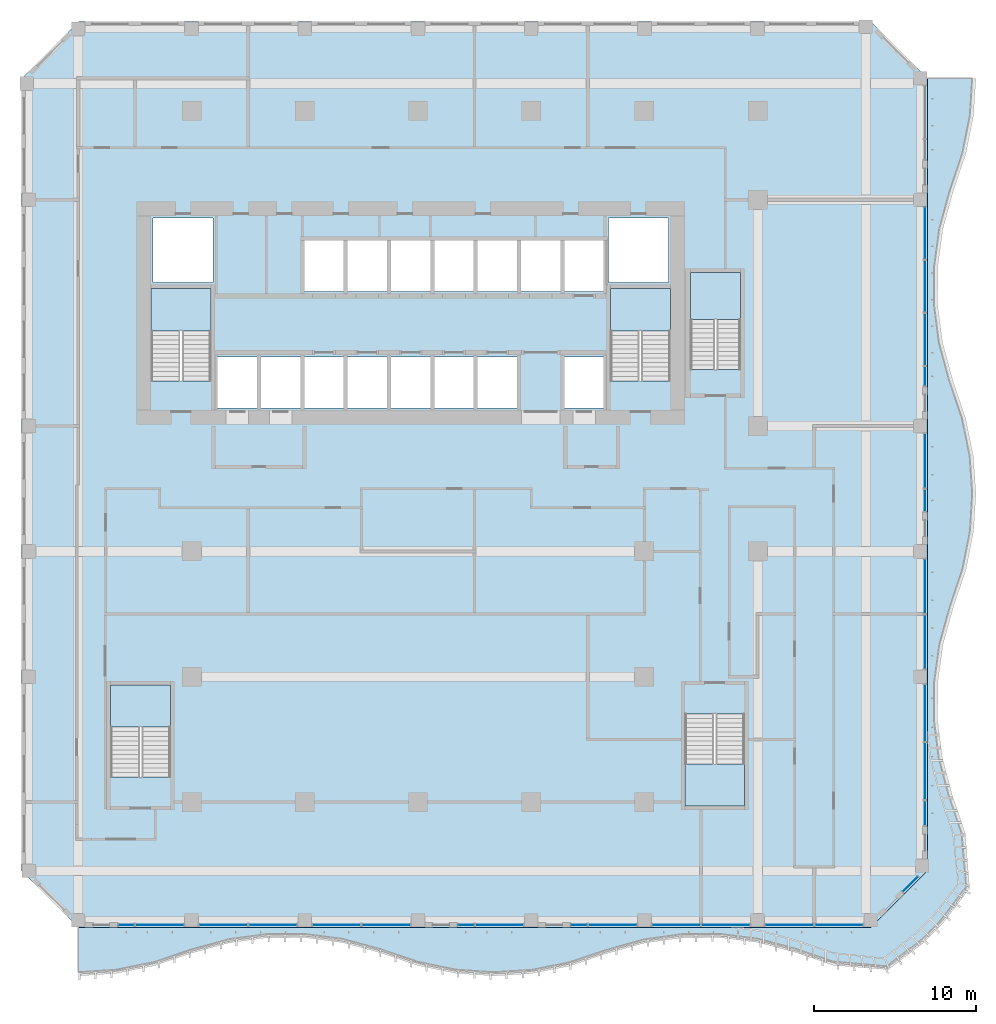
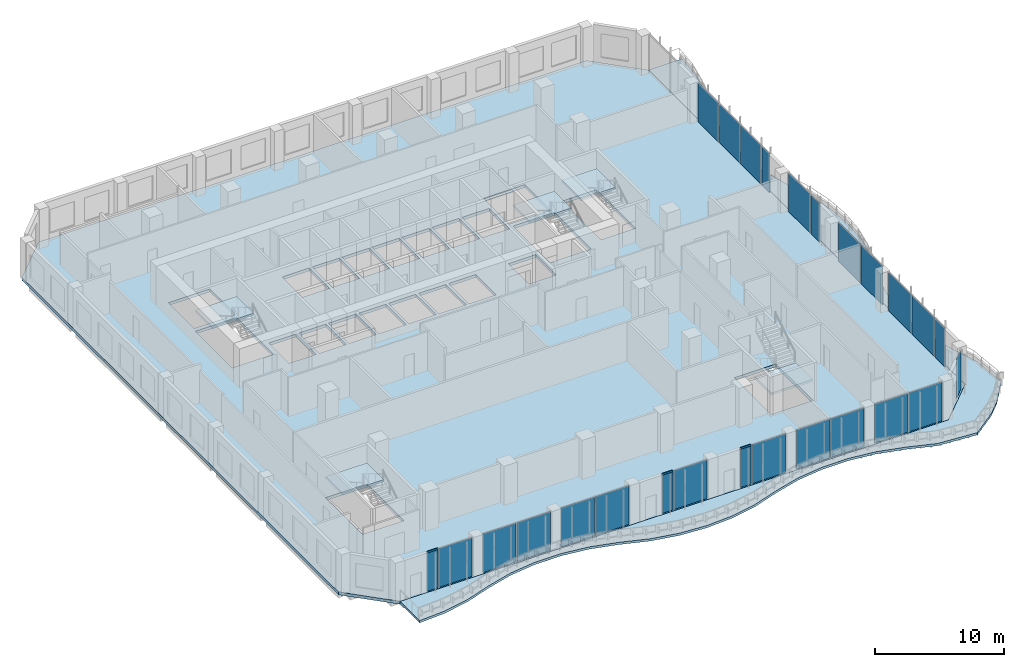
# One storey, part 11 of 27: 26 plates, 7 slabs, 3 members, 31 elements without a shape of their own.
"""IFC4 building model written with IfcOpenShell, lengths in metres."""

from ifc_helpers import new_model, si_unit, direction, frame, origin, origin_2d, place, context, subcontext, project, spatial, polyline, rectangle, outline, extrude, source, transform, mapped, material, layer, layer_set, material_profile, profile_set, type_object, element, aggregate, save


model = new_model("IFC4")

# Units and contexts
model_context = context("Model", 3, precision=1e-05, world=origin(), true_north=direction((0.0, 1.0)))
body_context = subcontext(model_context, "Body", "Model", "MODEL_VIEW")
ifc_project = project(units=[si_unit("LENGTHUNIT", "METRE"), si_unit("AREAUNIT", "SQUARE_METRE"), si_unit("VOLUMEUNIT", "CUBIC_METRE"), si_unit("PLANEANGLEUNIT", "RADIAN"), si_unit("MASSUNIT", "GRAM", prefix="KILO")], contexts=[model_context])

# Site, building, storey
site_placement = place(None, origin())
site = spatial("IfcSite", under=ifc_project, at=site_placement, CompositionType="ELEMENT")
building_placement = place(site_placement, origin())
building = spatial("IfcBuilding", under=site, at=building_placement, Name="Kilnfold Tower and Market Hall", CompositionType="ELEMENT")
storey_placement = place(building_placement, frame((0.0, 0.0, 112.60009765625)))
storey = spatial("IfcBuildingStorey", under=building, at=storey_placement, Name="L26", CompositionType="ELEMENT", Elevation=112.60009765625)

# Curtain wall, member
ifc_material_1 = material(Name="Aluminium and double glazing", Category="aluminium")
curtain_wall_type = type_object("IfcCurtainWallType", Name="CW OF2 VALLEY GLAZING", PredefinedType="NOTDEFINED", material=ifc_material_1)
curtain_wall_1_placement = place(storey_placement, origin())
curtain_wall_1 = element("IfcCurtainWall", 1, at=curtain_wall_1_placement, inside=storey, type_object=curtain_wall_type, Name="Curtain wall CW2 L26 S", PredefinedType="NOTDEFINED")
ifc_material_2 = material(Name="Aluminium", Category="aluminium")
ifc_material_profile = material_profile(ifc_material_2, rectangle(XDim=0.06005859375, YDim=0.159912109375, at=origin_2d()), Name="TRANSOM 60x160")
ifc_profile_set = profile_set([ifc_material_profile], Name="Aluminium")
member_type = type_object("IfcMemberType", Name="TRANSOM 60X160", PredefinedType="USERDEFINED", material=ifc_profile_set)
shared_shape_1 = source(origin(), body_context, "Body", "SweptSolid", [
    extrude(rectangle(XDim=0.06005859375, YDim=0.159912109375, at=origin_2d()), origin(), (0.0, 0.0, 1.0), 0.954833984375),
])
member_1_placement = place(storey_placement, frame((-17.014892578125, -22.85009765625, 3.68994140625), z_axis=(1.0, 0.0, 0.0), x_axis=(0.0, 1.0, 0.0)))
member_1 = element("IfcMember", 2, at=member_1_placement, type_object=member_type, Name="CW2 transom 1.2", ObjectType="TRANSOM", PredefinedType="USERDEFINED", context=body_context, shape_type="MappedRepresentation", body=[
    mapped(shared_shape_1, transform((0.0, 0.0, 0.0))),
])

curtain_wall_2_placement = place(storey_placement, origin())
curtain_wall_2 = element("IfcCurtainWall", 3, at=curtain_wall_2_placement, inside=storey, type_object=curtain_wall_type, Name="Curtain wall CW2 L26 S", PredefinedType="NOTDEFINED")
member_2_placement = place(storey_placement, frame((3.985107421875, -22.85009765625, 3.68994140625), z_axis=(1.0, 0.0, 0.0), x_axis=(0.0, 1.0, 0.0)))
member_2 = element("IfcMember", 4, at=member_2_placement, type_object=member_type, Name="CW2 transom 1.2", ObjectType="TRANSOM", PredefinedType="USERDEFINED", context=body_context, shape_type="MappedRepresentation", body=[
    mapped(shared_shape_1, transform((0.0, 0.0, 0.0))),
])

curtain_wall_3_placement = place(storey_placement, origin())
curtain_wall_3 = element("IfcCurtainWall", 5, at=curtain_wall_3_placement, inside=storey, type_object=curtain_wall_type, Name="Curtain wall CW2 L26 S", PredefinedType="NOTDEFINED")
member_3_placement = place(storey_placement, frame((10.985107421875, -22.85009765625, 3.68994140625), z_axis=(1.0, 0.0, 0.0), x_axis=(0.0, 1.0, 0.0)))
member_3 = element("IfcMember", 6, at=member_3_placement, type_object=member_type, Name="CW2 transom 1.2", ObjectType="TRANSOM", PredefinedType="USERDEFINED", context=body_context, shape_type="MappedRepresentation", body=[
    mapped(shared_shape_1, transform((0.0, 0.0, 0.0))),
])

# Slab
ifc_material_3 = material(Name="Concrete C45", Category="concrete")
ifc_layer_1 = layer(ifc_material_3, 0.280029296875)
ifc_layer_set_1 = layer_set([ifc_layer_1], Name="Concrete C45")
slab_type_1 = type_object("IfcSlabType", Name="FLOOR SLAB 280", PredefinedType="FLOOR", material=ifc_layer_set_1)
shared_shape_2 = source(origin(), body_context, "Body", "SweptSolid", [
    extrude(outline(polyline([(-19.5, -23.0), (29.5, -23.0), (33.0, -19.5), (33.0, 29.5), (29.5, 33.0), (-19.5, 33.0), (-23.0, 29.5), (-23.0, -19.5), (-19.5, -23.0)]), holes=[polyline([(-13.800537109375, -13.699462890625), (-17.49951171875, -13.699462890625), (-17.49951171875, -8.00048828125), (-13.800537109375, -8.00048828125), (-13.800537109375, -13.699462890625)]), polyline([(-14.99951171875, 10.800537109375), (-14.99951171875, 16.49951171875), (-11.300537109375, 16.49951171875), (-11.300537109375, 10.800537109375), (-14.99951171875, 10.800537109375)]), polyline([(-14.875, 16.875), (-14.875, 20.875), (-11.175048828125, 20.875), (-11.175048828125, 16.875), (-14.875, 16.875)]), polyline([(-8.455078125, 9.125), (-10.885009765625, 9.125), (-10.885009765625, 12.27490234375), (-8.455078125, 12.27490234375), (-8.455078125, 9.125)]), polyline([(-5.77490234375, 9.125), (-8.205078125, 9.125), (-8.205078125, 12.27490234375), (-5.77490234375, 12.27490234375), (-5.77490234375, 9.125)]), polyline([(-5.52490234375, 9.125), (-5.52490234375, 12.27490234375), (-3.094970703125, 12.27490234375), (-3.094970703125, 9.125), (-5.52490234375, 9.125)]), polyline([(-5.52490234375, 16.324951171875), (-5.52490234375, 19.47509765625), (-3.094970703125, 19.47509765625), (-3.094970703125, 16.324951171875), (-5.52490234375, 16.324951171875)]), polyline([(-2.844970703125, 9.125), (-2.844970703125, 12.27490234375), (-0.4150390625, 12.27490234375), (-0.4150390625, 9.125), (-2.844970703125, 9.125)]), polyline([(-0.4150390625, 16.324951171875), (-2.844970703125, 16.324951171875), (-2.844970703125, 19.47509765625), (-0.4150390625, 19.47509765625), (-0.4150390625, 16.324951171875)]), polyline([(2.264892578125, 9.125), (-0.1650390625, 9.125), (-0.1650390625, 12.27490234375), (2.264892578125, 12.27490234375), (2.264892578125, 9.125)]), polyline([(-0.1650390625, 16.324951171875), (-0.1650390625, 19.47509765625), (2.264892578125, 19.47509765625), (2.264892578125, 16.324951171875), (-0.1650390625, 16.324951171875)]), polyline([(4.945068359375, 9.125), (2.514892578125, 9.125), (2.514892578125, 12.27490234375), (4.945068359375, 12.27490234375), (4.945068359375, 9.125)]), polyline([(2.514892578125, 16.324951171875), (2.514892578125, 19.47509765625), (4.945068359375, 19.47509765625), (4.945068359375, 16.324951171875), (2.514892578125, 16.324951171875)]), polyline([(7.625, 9.125), (5.195068359375, 9.125), (5.195068359375, 12.27490234375), (7.625, 12.27490234375), (7.625, 9.125)]), polyline([(5.195068359375, 16.324951171875), (5.195068359375, 19.47509765625), (7.625, 19.47509765625), (7.625, 16.324951171875), (5.195068359375, 16.324951171875)]), polyline([(10.304931640625, 16.324951171875), (7.875, 16.324951171875), (7.875, 19.47509765625), (10.304931640625, 19.47509765625), (10.304931640625, 16.324951171875)]), polyline([(10.554931640625, 9.125), (10.554931640625, 12.27490234375), (12.985107421875, 12.27490234375), (12.985107421875, 9.125), (10.554931640625, 9.125)]), polyline([(10.554931640625, 16.324951171875), (10.554931640625, 19.47509765625), (12.985107421875, 19.47509765625), (12.985107421875, 16.324951171875), (10.554931640625, 16.324951171875)]), polyline([(13.27490234375, 16.875), (13.27490234375, 20.875), (16.97509765625, 20.875), (16.97509765625, 16.875), (13.27490234375, 16.875)]), polyline([(13.400390625, 10.800537109375), (13.400390625, 16.49951171875), (17.099609375, 16.49951171875), (17.099609375, 10.800537109375), (13.400390625, 10.800537109375)]), polyline([(18.00048828125, -9.800537109375), (21.699462890625, -9.800537109375), (21.699462890625, -15.49951171875), (18.00048828125, -15.49951171875), (18.00048828125, -9.800537109375)]), polyline([(21.449462890625, 11.50048828125), (18.3505859375, 11.50048828125), (18.3505859375, 17.49951171875), (21.449462890625, 17.49951171875), (21.449462890625, 11.50048828125)])]), origin(), (0.0, 0.0, 1.0), 0.280029296875),
])
slab_1_placement = place(storey_placement, frame((0.0, 0.0, -0.280029296875)))
element("IfcSlab", 7, at=slab_1_placement, inside=storey, type_object=slab_type_1, Name="Floor slab L26", PredefinedType="FLOOR", context=body_context, shape_type="MappedRepresentation", body=[
    mapped(shared_shape_2, transform((0.0, 0.0, 0.0))),
])

# Plate
ifc_material_4 = material(Name="Double glazed unit")
ifc_layer_2 = layer(ifc_material_4, 0.031982421875)
ifc_layer_set_2 = layer_set([ifc_layer_2], Name="Double glazed unit")
plate_type = type_object("IfcPlateType", Name="GLAZING PANEL 32", PredefinedType="CURTAIN_PANEL", material=ifc_layer_set_2)
shared_shape_3 = source(origin(), body_context, "Body", "SweptSolid", [
    extrude(rectangle(XDim=0.955078125, YDim=0.031982421875, at=origin_2d()), origin(), (0.0, 0.0, 1.0), 3.659912109375),
])
plate_1_placement = place(storey_placement, frame((-16.53759765625, -22.85009765625, 0.0), z_axis=(0.0, 0.0, 1.0), x_axis=(1.0, 0.0, 0.0)))
plate_1 = element("IfcPlate", 8, at=plate_1_placement, type_object=plate_type, Name="CW2 panel 1.1", PredefinedType="CURTAIN_PANEL", context=body_context, shape_type="MappedRepresentation", body=[
    mapped(shared_shape_3, transform((0.0, 0.0, 0.0))),
])

aggregate(curtain_wall_1, [member_1, plate_1])

plate_2_placement = place(storey_placement, frame((4.46240234375, -22.85009765625, 0.0), z_axis=(0.0, 0.0, 1.0), x_axis=(1.0, 0.0, 0.0)))
plate_2 = element("IfcPlate", 9, at=plate_2_placement, type_object=plate_type, Name="CW2 panel 1.1", PredefinedType="CURTAIN_PANEL", context=body_context, shape_type="MappedRepresentation", body=[
    mapped(shared_shape_3, transform((0.0, 0.0, 0.0))),
])

aggregate(curtain_wall_2, [member_2, plate_2])

plate_3_placement = place(storey_placement, frame((11.46240234375, -22.85009765625, 0.0), z_axis=(0.0, 0.0, 1.0), x_axis=(1.0, 0.0, 0.0)))
plate_3 = element("IfcPlate", 10, at=plate_3_placement, type_object=plate_type, Name="CW2 panel 1.1", PredefinedType="CURTAIN_PANEL", context=body_context, shape_type="MappedRepresentation", body=[
    mapped(shared_shape_3, transform((0.0, 0.0, 0.0))),
])

aggregate(curtain_wall_3, [member_3, plate_3])

# Curtain wall, plate
curtain_wall_4_placement = place(storey_placement, origin())
curtain_wall_4 = element("IfcCurtainWall", 11, at=curtain_wall_4_placement, inside=storey, type_object=curtain_wall_type, Name="Curtain wall CW2 L26 S", PredefinedType="NOTDEFINED")
shared_shape_4 = source(origin(), body_context, "Body", "SweptSolid", [
    extrude(rectangle(XDim=2.955078125, YDim=0.031982421875, at=origin_2d()), origin(), (0.0, 0.0, 1.0), 3.659912109375),
])
plate_4_placement = place(storey_placement, frame((-14.46240234375, -22.85009765625, 0.0), z_axis=(0.0, 0.0, 1.0), x_axis=(1.0, 0.0, 0.0)))
plate_4 = element("IfcPlate", 12, at=plate_4_placement, type_object=plate_type, Name="CW2 panel 1.1", PredefinedType="CURTAIN_PANEL", context=body_context, shape_type="MappedRepresentation", body=[
    mapped(shared_shape_4, transform((0.0, 0.0, 0.0))),
])
aggregate(curtain_wall_4, [plate_4])

curtain_wall_5_placement = place(storey_placement, origin())
curtain_wall_5 = element("IfcCurtainWall", 13, at=curtain_wall_5_placement, inside=storey, type_object=curtain_wall_type, Name="Curtain wall CW2 L26 S", PredefinedType="NOTDEFINED")
plate_5_placement = place(storey_placement, frame((-10.53759765625, -22.85009765625, 0.0), z_axis=(0.0, 0.0, 1.0), x_axis=(1.0, 0.0, 0.0)))
plate_5 = element("IfcPlate", 14, at=plate_5_placement, type_object=plate_type, Name="CW2 panel 1.1", PredefinedType="CURTAIN_PANEL", context=body_context, shape_type="MappedRepresentation", body=[
    mapped(shared_shape_4, transform((0.0, 0.0, 0.0))),
])
aggregate(curtain_wall_5, [plate_5])

curtain_wall_6_placement = place(storey_placement, origin())
curtain_wall_6 = element("IfcCurtainWall", 15, at=curtain_wall_6_placement, inside=storey, type_object=curtain_wall_type, Name="Curtain wall CW2 L26 S", PredefinedType="NOTDEFINED")
plate_6_placement = place(storey_placement, frame((-7.46240234375, -22.85009765625, 0.0), z_axis=(0.0, 0.0, 1.0), x_axis=(1.0, 0.0, 0.0)))
plate_6 = element("IfcPlate", 16, at=plate_6_placement, type_object=plate_type, Name="CW2 panel 1.1", PredefinedType="CURTAIN_PANEL", context=body_context, shape_type="MappedRepresentation", body=[
    mapped(shared_shape_4, transform((0.0, 0.0, 0.0))),
])
aggregate(curtain_wall_6, [plate_6])

curtain_wall_7_placement = place(storey_placement, origin())
curtain_wall_7 = element("IfcCurtainWall", 17, at=curtain_wall_7_placement, inside=storey, type_object=curtain_wall_type, Name="Curtain wall CW2 L26 S", PredefinedType="NOTDEFINED")
plate_7_placement = place(storey_placement, frame((-3.53759765625, -22.85009765625, 0.0), z_axis=(0.0, 0.0, 1.0), x_axis=(1.0, 0.0, 0.0)))
plate_7 = element("IfcPlate", 18, at=plate_7_placement, type_object=plate_type, Name="CW2 panel 1.1", PredefinedType="CURTAIN_PANEL", context=body_context, shape_type="MappedRepresentation", body=[
    mapped(shared_shape_4, transform((0.0, 0.0, 0.0))),
])
aggregate(curtain_wall_7, [plate_7])

curtain_wall_8_placement = place(storey_placement, origin())
curtain_wall_8 = element("IfcCurtainWall", 19, at=curtain_wall_8_placement, inside=storey, type_object=curtain_wall_type, Name="Curtain wall CW2 L26 S", PredefinedType="NOTDEFINED")
plate_8_placement = place(storey_placement, frame((-0.46240234375, -22.85009765625, 0.0), z_axis=(0.0, 0.0, 1.0), x_axis=(1.0, 0.0, 0.0)))
plate_8 = element("IfcPlate", 20, at=plate_8_placement, type_object=plate_type, Name="CW2 panel 1.1", PredefinedType="CURTAIN_PANEL", context=body_context, shape_type="MappedRepresentation", body=[
    mapped(shared_shape_4, transform((0.0, 0.0, 0.0))),
])
aggregate(curtain_wall_8, [plate_8])

curtain_wall_9_placement = place(storey_placement, origin())
curtain_wall_9 = element("IfcCurtainWall", 21, at=curtain_wall_9_placement, inside=storey, type_object=curtain_wall_type, Name="Curtain wall CW2 L26 S", PredefinedType="NOTDEFINED")
plate_9_placement = place(storey_placement, frame((6.53759765625, -22.85009765625, 0.0), z_axis=(0.0, 0.0, 1.0), x_axis=(1.0, 0.0, 0.0)))
plate_9 = element("IfcPlate", 22, at=plate_9_placement, type_object=plate_type, Name="CW2 panel 1.1", PredefinedType="CURTAIN_PANEL", context=body_context, shape_type="MappedRepresentation", body=[
    mapped(shared_shape_4, transform((0.0, 0.0, 0.0))),
])
aggregate(curtain_wall_9, [plate_9])

curtain_wall_10_placement = place(storey_placement, origin())
curtain_wall_10 = element("IfcCurtainWall", 23, at=curtain_wall_10_placement, inside=storey, type_object=curtain_wall_type, Name="Curtain wall CW2 L26 S", PredefinedType="NOTDEFINED")
plate_10_placement = place(storey_placement, frame((13.53759765625, -22.85009765625, 0.0), z_axis=(0.0, 0.0, 1.0), x_axis=(1.0, 0.0, 0.0)))
plate_10 = element("IfcPlate", 24, at=plate_10_placement, type_object=plate_type, Name="CW2 panel 1.1", PredefinedType="CURTAIN_PANEL", context=body_context, shape_type="MappedRepresentation", body=[
    mapped(shared_shape_4, transform((0.0, 0.0, 0.0))),
])
aggregate(curtain_wall_10, [plate_10])

curtain_wall_11_placement = place(storey_placement, origin())
curtain_wall_11 = element("IfcCurtainWall", 25, at=curtain_wall_11_placement, inside=storey, type_object=curtain_wall_type, Name="Curtain wall CW2 L26 S", PredefinedType="NOTDEFINED")
plate_11_placement = place(storey_placement, frame((17.46240234375, -22.85009765625, 0.0), z_axis=(0.0, 0.0, 1.0), x_axis=(1.0, 0.0, 0.0)))
plate_11 = element("IfcPlate", 26, at=plate_11_placement, type_object=plate_type, Name="CW2 panel 1.1", PredefinedType="CURTAIN_PANEL", context=body_context, shape_type="MappedRepresentation", body=[
    mapped(shared_shape_4, transform((0.0, 0.0, 0.0))),
])
aggregate(curtain_wall_11, [plate_11])

curtain_wall_12_placement = place(storey_placement, origin())
curtain_wall_12 = element("IfcCurtainWall", 27, at=curtain_wall_12_placement, inside=storey, type_object=curtain_wall_type, Name="Curtain wall CW2 L26 S", PredefinedType="NOTDEFINED")
plate_12_placement = place(storey_placement, frame((20.53759765625, -22.85009765625, 0.0), z_axis=(0.0, 0.0, 1.0), x_axis=(1.0, 0.0, 0.0)))
plate_12 = element("IfcPlate", 28, at=plate_12_placement, type_object=plate_type, Name="CW2 panel 1.1", PredefinedType="CURTAIN_PANEL", context=body_context, shape_type="MappedRepresentation", body=[
    mapped(shared_shape_4, transform((0.0, 0.0, 0.0))),
])
aggregate(curtain_wall_12, [plate_12])

curtain_wall_13_placement = place(storey_placement, origin())
curtain_wall_13 = element("IfcCurtainWall", 29, at=curtain_wall_13_placement, inside=storey, type_object=curtain_wall_type, Name="Curtain wall CW2 L26 S", PredefinedType="NOTDEFINED")
plate_13_placement = place(storey_placement, frame((24.46240234375, -22.85009765625, 0.0), z_axis=(0.0, 0.0, 1.0), x_axis=(1.0, 0.0, 0.0)))
plate_13 = element("IfcPlate", 30, at=plate_13_placement, type_object=plate_type, Name="CW2 panel 1.1", PredefinedType="CURTAIN_PANEL", context=body_context, shape_type="MappedRepresentation", body=[
    mapped(shared_shape_4, transform((0.0, 0.0, 0.0))),
])
aggregate(curtain_wall_13, [plate_13])

curtain_wall_14_placement = place(storey_placement, origin())
curtain_wall_14 = element("IfcCurtainWall", 31, at=curtain_wall_14_placement, inside=storey, type_object=curtain_wall_type, Name="Curtain wall CW2 L26 S", PredefinedType="NOTDEFINED")
plate_14_placement = place(storey_placement, frame((27.53759765625, -22.85009765625, 0.0), z_axis=(0.0, 0.0, 1.0), x_axis=(1.0, 0.0, 0.0)))
plate_14 = element("IfcPlate", 32, at=plate_14_placement, type_object=plate_type, Name="CW2 panel 1.1", PredefinedType="CURTAIN_PANEL", context=body_context, shape_type="MappedRepresentation", body=[
    mapped(shared_shape_4, transform((0.0, 0.0, 0.0))),
])
aggregate(curtain_wall_14, [plate_14])

curtain_wall_15_placement = place(storey_placement, origin())
curtain_wall_15 = element("IfcCurtainWall", 33, at=curtain_wall_15_placement, inside=storey, type_object=curtain_wall_type, Name="Curtain wall CW2 L26 SE", PredefinedType="NOTDEFINED")
shared_shape_5 = source(origin(), body_context, "Body", "SweptSolid", [
    extrude(rectangle(XDim=1.3095703125, YDim=0.031982421875, at=origin_2d()), origin(), (0.0, 0.0, 1.0), 3.659912109375),
])
plate_15_placement = place(storey_placement, frame((31.96337890625, -20.32421875, 0.0), z_axis=(0.0, 0.0, 1.0), x_axis=(0.707106781187, 0.707106781187, 0.0)))
plate_15 = element("IfcPlate", 34, at=plate_15_placement, type_object=plate_type, Name="CW2 panel 1.1", PredefinedType="CURTAIN_PANEL", context=body_context, shape_type="MappedRepresentation", body=[
    mapped(shared_shape_5, transform((0.0, 0.0, 0.0))),
])
aggregate(curtain_wall_15, [plate_15])

curtain_wall_16_placement = place(storey_placement, origin())
curtain_wall_16 = element("IfcCurtainWall", 35, at=curtain_wall_16_placement, inside=storey, type_object=curtain_wall_type, Name="Curtain wall CW2 L26 E", PredefinedType="NOTDEFINED")
shared_shape_6 = source(origin(), body_context, "Body", "SweptSolid", [
    extrude(rectangle(XDim=3.490478515625, YDim=0.031982421875, at=origin_2d()), origin(), (0.0, 0.0, 1.0), 3.659912109375),
])
plate_16_placement = place(storey_placement, frame((32.85009765625, -13.3408203125, 0.0), z_axis=(0.0, 0.0, 1.0), x_axis=(0.0, 1.0, 0.0)))
plate_16 = element("IfcPlate", 36, at=plate_16_placement, type_object=plate_type, Name="CW2 panel 1.1", PredefinedType="CURTAIN_PANEL", context=body_context, shape_type="MappedRepresentation", body=[
    mapped(shared_shape_6, transform((0.0, 0.0, 0.0))),
])
aggregate(curtain_wall_16, [plate_16])

curtain_wall_17_placement = place(storey_placement, origin())
curtain_wall_17 = element("IfcCurtainWall", 37, at=curtain_wall_17_placement, inside=storey, type_object=curtain_wall_type, Name="Curtain wall CW2 L26 E", PredefinedType="NOTDEFINED")
plate_17_placement = place(storey_placement, frame((32.85009765625, -9.730224609375, 0.0), z_axis=(0.0, 0.0, 1.0), x_axis=(0.0, 1.0, 0.0)))
plate_17 = element("IfcPlate", 38, at=plate_17_placement, type_object=plate_type, Name="CW2 panel 1.1", PredefinedType="CURTAIN_PANEL", context=body_context, shape_type="MappedRepresentation", body=[
    mapped(shared_shape_6, transform((0.0, 0.0, 0.0))),
])
aggregate(curtain_wall_17, [plate_17])

curtain_wall_18_placement = place(storey_placement, origin())
curtain_wall_18 = element("IfcCurtainWall", 39, at=curtain_wall_18_placement, inside=storey, type_object=curtain_wall_type, Name="Curtain wall CW2 L26 E", PredefinedType="NOTDEFINED")
shared_shape_7 = source(origin(), body_context, "Body", "SweptSolid", [
    extrude(rectangle(XDim=3.330078125, YDim=0.031982421875, at=origin_2d()), origin(), (0.0, 0.0, 1.0), 3.659912109375),
])
plate_18_placement = place(storey_placement, frame((32.85009765625, -5.35009765625, 0.0), z_axis=(0.0, 0.0, 1.0), x_axis=(0.0, 1.0, 0.0)))
plate_18 = element("IfcPlate", 40, at=plate_18_placement, type_object=plate_type, Name="CW2 panel 1.1", PredefinedType="CURTAIN_PANEL", context=body_context, shape_type="MappedRepresentation", body=[
    mapped(shared_shape_7, transform((0.0, 0.0, 0.0))),
])
aggregate(curtain_wall_18, [plate_18])

curtain_wall_19_placement = place(storey_placement, origin())
curtain_wall_19 = element("IfcCurtainWall", 41, at=curtain_wall_19_placement, inside=storey, type_object=curtain_wall_type, Name="Curtain wall CW2 L26 E", PredefinedType="NOTDEFINED")
plate_19_placement = place(storey_placement, frame((32.85009765625, -1.89990234375, 0.0), z_axis=(0.0, 0.0, 1.0), x_axis=(0.0, 1.0, 0.0)))
plate_19 = element("IfcPlate", 42, at=plate_19_placement, type_object=plate_type, Name="CW2 panel 1.1", PredefinedType="CURTAIN_PANEL", context=body_context, shape_type="MappedRepresentation", body=[
    mapped(shared_shape_7, transform((0.0, 0.0, 0.0))),
])
aggregate(curtain_wall_19, [plate_19])

curtain_wall_20_placement = place(storey_placement, origin())
curtain_wall_20 = element("IfcCurtainWall", 43, at=curtain_wall_20_placement, inside=storey, type_object=curtain_wall_type, Name="Curtain wall CW2 L26 E", PredefinedType="NOTDEFINED")
plate_20_placement = place(storey_placement, frame((32.85009765625, 5.85009765625, 0.0), z_axis=(0.0, 0.0, 1.0), x_axis=(0.0, 1.0, 0.0)))
plate_20 = element("IfcPlate", 44, at=plate_20_placement, type_object=plate_type, Name="CW2 panel 1.1", PredefinedType="CURTAIN_PANEL", context=body_context, shape_type="MappedRepresentation", body=[
    mapped(shared_shape_7, transform((0.0, 0.0, 0.0))),
])
aggregate(curtain_wall_20, [plate_20])

curtain_wall_21_placement = place(storey_placement, origin())
curtain_wall_21 = element("IfcCurtainWall", 45, at=curtain_wall_21_placement, inside=storey, type_object=curtain_wall_type, Name="Curtain wall CW2 L26 E", PredefinedType="NOTDEFINED")
shared_shape_8 = source(origin(), body_context, "Body", "SweptSolid", [
    extrude(rectangle(XDim=3.16748046875, YDim=0.031982421875, at=origin_2d()), origin(), (0.0, 0.0, 1.0), 3.659912109375),
])
plate_21_placement = place(storey_placement, frame((32.85009765625, 13.356201171875, 0.0), z_axis=(0.0, 0.0, 1.0), x_axis=(0.0, 1.0, 0.0)))
plate_21 = element("IfcPlate", 46, at=plate_21_placement, type_object=plate_type, Name="CW2 panel 1.1", PredefinedType="CURTAIN_PANEL", context=body_context, shape_type="MappedRepresentation", body=[
    mapped(shared_shape_8, transform((0.0, 0.0, 0.0))),
])
aggregate(curtain_wall_21, [plate_21])

curtain_wall_22_placement = place(storey_placement, origin())
curtain_wall_22 = element("IfcCurtainWall", 47, at=curtain_wall_22_placement, inside=storey, type_object=curtain_wall_type, Name="Curtain wall CW2 L26 E", PredefinedType="NOTDEFINED")
plate_22_placement = place(storey_placement, frame((32.85009765625, 16.643798828125, 0.0), z_axis=(0.0, 0.0, 1.0), x_axis=(0.0, 1.0, 0.0)))
plate_22 = element("IfcPlate", 48, at=plate_22_placement, type_object=plate_type, Name="CW2 panel 1.1", PredefinedType="CURTAIN_PANEL", context=body_context, shape_type="MappedRepresentation", body=[
    mapped(shared_shape_8, transform((0.0, 0.0, 0.0))),
])
aggregate(curtain_wall_22, [plate_22])

curtain_wall_23_placement = place(storey_placement, origin())
curtain_wall_23 = element("IfcCurtainWall", 49, at=curtain_wall_23_placement, inside=storey, type_object=curtain_wall_type, Name="Curtain wall CW2 L26 E", PredefinedType="NOTDEFINED")
plate_23_placement = place(storey_placement, frame((32.85009765625, 19.93115234375, 0.0), z_axis=(0.0, 0.0, 1.0), x_axis=(0.0, 1.0, 0.0)))
plate_23 = element("IfcPlate", 50, at=plate_23_placement, type_object=plate_type, Name="CW2 panel 1.1", PredefinedType="CURTAIN_PANEL", context=body_context, shape_type="MappedRepresentation", body=[
    mapped(shared_shape_8, transform((0.0, 0.0, 0.0))),
])
aggregate(curtain_wall_23, [plate_23])

curtain_wall_24_placement = place(storey_placement, origin())
curtain_wall_24 = element("IfcCurtainWall", 51, at=curtain_wall_24_placement, inside=storey, type_object=curtain_wall_type, Name="Curtain wall CW2 L26 E", PredefinedType="NOTDEFINED")
shared_shape_9 = source(origin(), body_context, "Body", "SweptSolid", [
    extrude(rectangle(XDim=1.490478515625, YDim=0.031982421875, at=origin_2d()), origin(), (0.0, 0.0, 1.0), 3.659912109375),
])
plate_24_placement = place(storey_placement, frame((32.85009765625, -15.951416015625, 0.0), z_axis=(0.0, 0.0, 1.0), x_axis=(0.0, 1.0, 0.0)))
plate_24 = element("IfcPlate", 52, at=plate_24_placement, type_object=plate_type, Name="CW2 panel 1.1", PredefinedType="CURTAIN_PANEL", context=body_context, shape_type="MappedRepresentation", body=[
    mapped(shared_shape_9, transform((0.0, 0.0, 0.0))),
])
aggregate(curtain_wall_24, [plate_24])

curtain_wall_25_placement = place(storey_placement, origin())
curtain_wall_25 = element("IfcCurtainWall", 53, at=curtain_wall_25_placement, inside=storey, type_object=curtain_wall_type, Name="Curtain wall CW2 L26 E", PredefinedType="NOTDEFINED")
shared_shape_10 = source(origin(), body_context, "Body", "SweptSolid", [
    extrude(rectangle(XDim=1.16748046875, YDim=0.031982421875, at=origin_2d()), origin(), (0.0, 0.0, 1.0), 3.659912109375),
])
plate_25_placement = place(storey_placement, frame((32.85009765625, 11.06884765625, 0.0), z_axis=(0.0, 0.0, 1.0), x_axis=(0.0, 1.0, 0.0)))
plate_25 = element("IfcPlate", 54, at=plate_25_placement, type_object=plate_type, Name="CW2 panel 1.1", PredefinedType="CURTAIN_PANEL", context=body_context, shape_type="MappedRepresentation", body=[
    mapped(shared_shape_10, transform((0.0, 0.0, 0.0))),
])
aggregate(curtain_wall_25, [plate_25])

curtain_wall_26_placement = place(storey_placement, origin())
curtain_wall_26 = element("IfcCurtainWall", 55, at=curtain_wall_26_placement, inside=storey, type_object=curtain_wall_type, Name="Curtain wall CW2 L26 E", PredefinedType="NOTDEFINED")
shared_shape_11 = source(origin(), body_context, "Body", "SweptSolid", [
    extrude(rectangle(XDim=1.330078125, YDim=0.031982421875, at=origin_2d()), origin(), (0.0, 0.0, 1.0), 3.659912109375),
])
plate_26_placement = place(storey_placement, frame((32.85009765625, 3.39990234375, 0.0), z_axis=(0.0, 0.0, 1.0), x_axis=(0.0, 1.0, 0.0)))
plate_26 = element("IfcPlate", 56, at=plate_26_placement, type_object=plate_type, Name="CW2 panel 1.1", PredefinedType="CURTAIN_PANEL", context=body_context, shape_type="MappedRepresentation", body=[
    mapped(shared_shape_11, transform((0.0, 0.0, 0.0))),
])
aggregate(curtain_wall_26, [plate_26])

# Slab
ifc_material_5 = material(Name="Concrete C40/50", Category="concrete")
ifc_layer_3 = layer(ifc_material_5, 0.219970703125)
ifc_layer_set_3 = layer_set([ifc_layer_3], Name="Concrete C40/50")
slab_type_2 = type_object("IfcSlabType", Name="BALCONY SLAB 220", PredefinedType="FLOOR", material=ifc_layer_set_3)
shared_shape_12 = source(origin(), body_context, "Body", "SweptSolid", [
    extrude(outline(polyline([(-19.5, -23.0), (29.5, -23.0), (33.0, -19.5), (33.0, 29.5), (36.0, 29.5), (35.8466796875, 27.166748046875), (35.379150390625, 24.833251953125), (34.59228515625, 22.5), (33.95361328125, 20.166748046875), (33.640380859375, 17.833251953125), (33.635986328125, 15.5), (33.939453125, 13.166748046875), (34.56787109375, 10.833251953125), (35.35986328125, 8.5), (35.83740234375, 6.166748046875), (36.0, 3.833251953125), (35.85595703125, 1.5), (35.398193359375, -0.833251953125), (34.6171875, -3.166748046875), (33.968017578125, -5.5), (33.6455078125, -7.833251953125), (33.631591796875, -10.166748046875), (33.925537109375, -12.5), (34.543701171875, -14.833251953125), (35.340087890625, -17.166748046875), (35.6123046875, -20.58203125), (33.941162109375, -22.7744140625), (32.7744140625, -23.941162109375), (30.58203125, -25.6123046875), (27.166748046875, -25.340087890625), (24.833251953125, -24.543701171875), (22.5, -23.925537109375), (20.166748046875, -23.631591796875), (17.833251953125, -23.6455078125), (15.5, -23.968017578125), (13.166748046875, -24.6171875), (10.833251953125, -25.398193359375), (8.5, -25.85595703125), (6.166748046875, -26.0), (3.833251953125, -25.83740234375), (1.5, -25.35986328125), (-0.833251953125, -24.56787109375), (-3.166748046875, -23.939453125), (-5.5, -23.635986328125), (-7.833251953125, -23.640380859375), (-10.166748046875, -23.95361328125), (-12.5, -24.59228515625), (-14.833251953125, -25.379150390625), (-17.166748046875, -25.8466796875), (-19.5, -26.0), (-19.5, -23.0)])), origin(), (0.0, 0.0, 1.0), 0.22021484375),
])
slab_2_placement = place(storey_placement, frame((0.0, 0.0, -0.22021484375)))
element("IfcSlab", 57, at=slab_2_placement, inside=storey, type_object=slab_type_2, Name="Balcony slab L26", PredefinedType="FLOOR", context=body_context, shape_type="MappedRepresentation", body=[
    mapped(shared_shape_12, transform((0.0, 0.0, 0.0))),
])

# Stair, slab
ifc_material_6 = material(Name="Concrete C40/50", Category="concrete")
stair_type_1 = type_object("IfcStairType", Name="CORE STAIR 1800", PredefinedType="HALF_TURN_STAIR", material=ifc_material_6)
stair_1_placement = place(storey_placement, origin())
stair_1 = element("IfcStair", 58, at=stair_1_placement, inside=storey, type_object=stair_type_1, Name="L26 ST1", PredefinedType="HALF_TURN_STAIR")
ifc_material_7 = material(Name="Concrete C40/50", Category="concrete")
ifc_layer_4 = layer(ifc_material_7, 0.199951171875)
ifc_layer_set_4 = layer_set([ifc_layer_4], Name="Concrete C40/50")
slab_type_3 = type_object("IfcSlabType", Name="CORE STAIR LANDING 200", PredefinedType="LANDING", material=ifc_layer_set_4)
shared_shape_13 = source(origin(), body_context, "Body", "SweptSolid", [
    extrude(outline(polyline([(-11.300048828125, 13.8798828125), (-11.300048828125, 16.5), (-15.0, 16.5), (-15.0, 13.8798828125), (-11.300048828125, 13.8798828125)])), origin(), (0.0, 0.0, 1.0), 0.2001953125),
])
slab_3_placement = place(storey_placement, frame((0.0, 0.0, 1.7998046875)))
slab_3 = element("IfcSlab", 59, at=slab_3_placement, type_object=slab_type_3, Name="ST1 landing 1", PredefinedType="LANDING", context=body_context, shape_type="MappedRepresentation", body=[
    mapped(shared_shape_13, transform((0.0, 0.0, 0.0))),
])
aggregate(stair_1, [slab_3])

stair_2_placement = place(storey_placement, origin())
stair_2 = element("IfcStair", 60, at=stair_2_placement, inside=storey, type_object=stair_type_1, Name="L26 ST2", PredefinedType="HALF_TURN_STAIR")
shared_shape_14 = source(origin(), body_context, "Body", "SweptSolid", [
    extrude(outline(polyline([(17.10009765625, 13.8798828125), (17.10009765625, 16.5), (13.39990234375, 16.5), (13.39990234375, 13.8798828125), (17.10009765625, 13.8798828125)])), origin(), (0.0, 0.0, 1.0), 0.2001953125),
])
slab_4_placement = place(storey_placement, frame((0.0, 0.0, 1.7998046875)))
slab_4 = element("IfcSlab", 61, at=slab_4_placement, type_object=slab_type_3, Name="ST2 landing 1", PredefinedType="LANDING", context=body_context, shape_type="MappedRepresentation", body=[
    mapped(shared_shape_14, transform((0.0, 0.0, 0.0))),
])
aggregate(stair_2, [slab_4])

stair_3_placement = place(storey_placement, origin())
stair_3 = element("IfcStair", 62, at=stair_3_placement, inside=storey, type_object=stair_type_1, Name="L26 ST3", PredefinedType="HALF_TURN_STAIR")
shared_shape_15 = source(origin(), body_context, "Body", "SweptSolid", [
    extrude(outline(polyline([(-13.800048828125, -10.6201171875), (-13.800048828125, -8.0), (-17.5, -8.0), (-17.5, -10.6201171875), (-13.800048828125, -10.6201171875)])), origin(), (0.0, 0.0, 1.0), 0.2001953125),
])
slab_5_placement = place(storey_placement, frame((0.0, 0.0, 1.7998046875)))
slab_5 = element("IfcSlab", 63, at=slab_5_placement, type_object=slab_type_3, Name="ST3 landing 1", PredefinedType="LANDING", context=body_context, shape_type="MappedRepresentation", body=[
    mapped(shared_shape_15, transform((0.0, 0.0, 0.0))),
])
aggregate(stair_3, [slab_5])

stair_4_placement = place(storey_placement, origin())
stair_4 = element("IfcStair", 64, at=stair_4_placement, inside=storey, type_object=stair_type_1, Name="L26 ST4", PredefinedType="HALF_TURN_STAIR")
shared_shape_16 = source(origin(), body_context, "Body", "SweptSolid", [
    extrude(outline(polyline([(18.0, -12.8798828125), (18.0, -15.5), (21.699951171875, -15.5), (21.699951171875, -12.8798828125), (18.0, -12.8798828125)])), origin(), (0.0, 0.0, 1.0), 0.2001953125),
])
slab_6_placement = place(storey_placement, frame((0.0, 0.0, 1.7998046875)))
slab_6 = element("IfcSlab", 65, at=slab_6_placement, type_object=slab_type_3, Name="ST4 landing 1", PredefinedType="LANDING", context=body_context, shape_type="MappedRepresentation", body=[
    mapped(shared_shape_16, transform((0.0, 0.0, 0.0))),
])
aggregate(stair_4, [slab_6])

ifc_material_8 = material(Name="Concrete C40/50", Category="concrete")
stair_type_2 = type_object("IfcStairType", Name="CORE STAIR 1500", PredefinedType="HALF_TURN_STAIR", material=ifc_material_8)
stair_5_placement = place(storey_placement, origin())
stair_5 = element("IfcStair", 66, at=stair_5_placement, inside=storey, type_object=stair_type_2, Name="L26 ST5", PredefinedType="HALF_TURN_STAIR")
shared_shape_17 = source(origin(), body_context, "Body", "SweptSolid", [
    extrude(outline(polyline([(21.449951171875, 14.580078125), (21.449951171875, 17.5), (18.35009765625, 17.5), (18.35009765625, 14.580078125), (21.449951171875, 14.580078125)])), origin(), (0.0, 0.0, 1.0), 0.2001953125),
])
slab_7_placement = place(storey_placement, frame((0.0, 0.0, 1.7998046875)))
slab_7 = element("IfcSlab", 67, at=slab_7_placement, type_object=slab_type_3, Name="ST5 landing 1", PredefinedType="LANDING", context=body_context, shape_type="MappedRepresentation", body=[
    mapped(shared_shape_17, transform((0.0, 0.0, 0.0))),
])
aggregate(stair_5, [slab_7])

save(model, "model.ifc")
